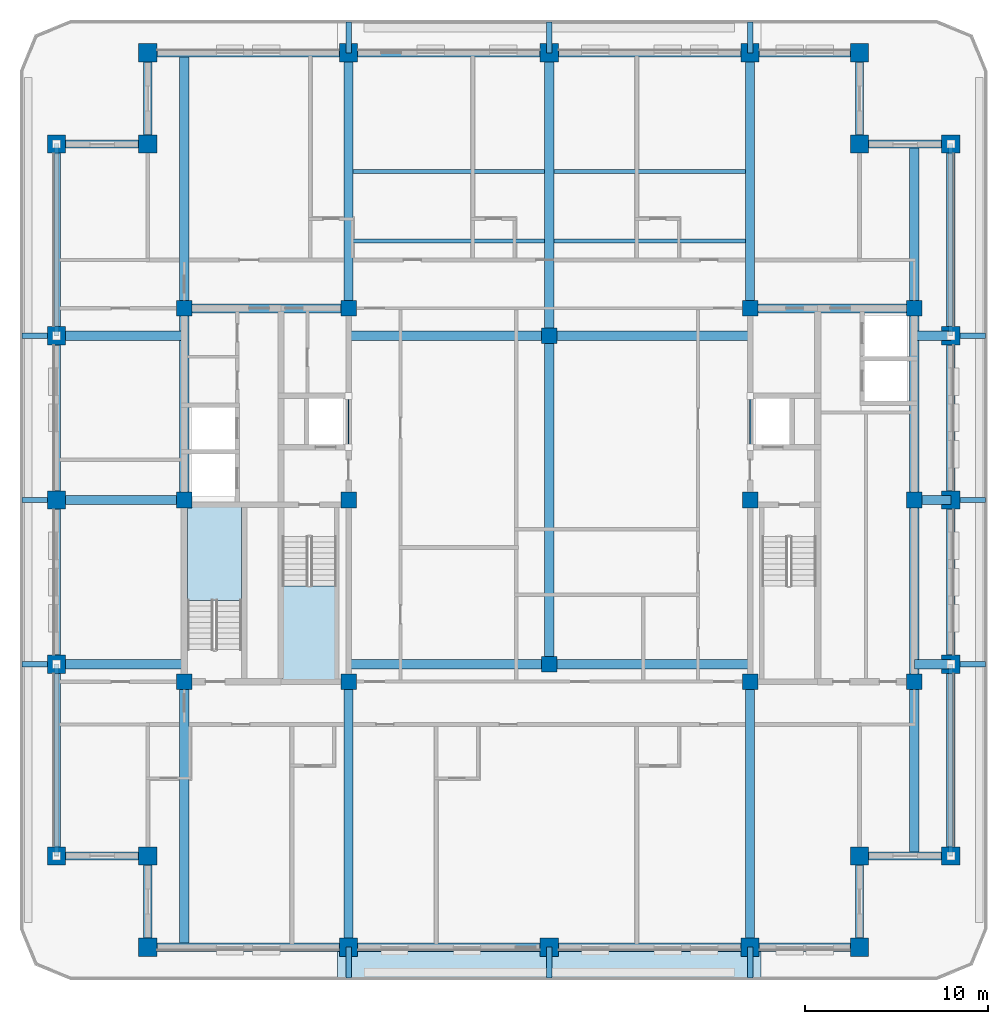
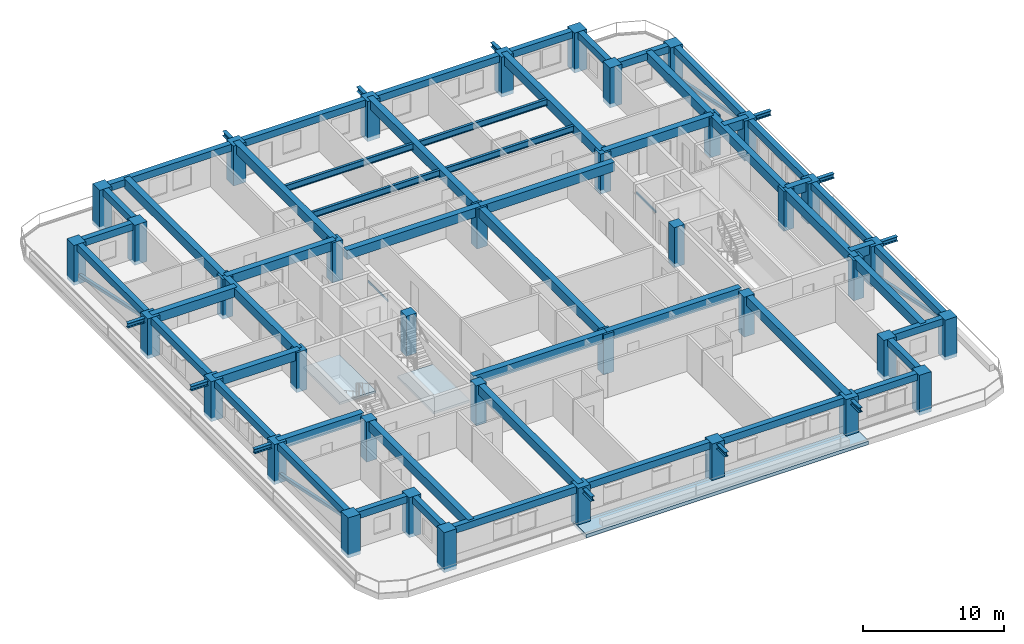
# One storey, part 1 of 14: 67 beams, 38 columns, 4 members, 3 slabs, 2 elements without a shape of their own.
"""IFC4 building model written with IfcOpenShell, lengths in metres."""

from ifc_helpers import new_model, si_unit, direction, frame, origin, origin_2d, place, context, subcontext, project, spatial, polyline, rectangle, hollow_rectangle, i_section, outline, extrude, material, layer, layer_set, material_profile, profile_set, type_object, element, aggregate, save


model = new_model("IFC4")

# Units and contexts
model_context = context("Model", 3, precision=1e-05, world=origin(), true_north=direction((0.0, 1.0)))
body_context = subcontext(model_context, "Body", "Model", "MODEL_VIEW")
ifc_project = project(units=[si_unit("LENGTHUNIT", "METRE"), si_unit("AREAUNIT", "SQUARE_METRE"), si_unit("VOLUMEUNIT", "CUBIC_METRE"), si_unit("PLANEANGLEUNIT", "RADIAN"), si_unit("MASSUNIT", "GRAM", prefix="KILO")], contexts=[model_context])

# Site, building, storey
site_placement = place(None, origin())
site = spatial("IfcSite", under=ifc_project, at=site_placement, CompositionType="ELEMENT")
building_placement = place(site_placement, origin())
building = spatial("IfcBuilding", under=site, at=building_placement, Name="Zulmaris Gate Convention Tower", CompositionType="ELEMENT")
storey_placement = place(building_placement, frame((0.0, 0.0, 211.85986328125)))
storey = spatial("IfcBuildingStorey", under=building, at=storey_placement, Name="L55", CompositionType="ELEMENT", Elevation=211.85986328125)

# Columns
ifc_material_1 = material(Name="Concrete C60/75", Category="concrete")
ifc_material_profile_1 = material_profile(ifc_material_1, rectangle(XDim=1.0, YDim=1.0, at=origin_2d()), Name="RC COL 1000x1000")
ifc_profile_set_1 = profile_set([ifc_material_profile_1], Name="Concrete C60/75")
column_type_1 = type_object("IfcColumnType", Name="COL-RC1000", PredefinedType="COLUMN", material=ifc_profile_set_1)
for number, where, z_axis, x_axis, name in (
    (1, (-22.0, -24.5, -0.324951171875), (0.0, 0.0, 1.0), (1.0, 0.0, 0.0), "L55 Column PT--22.00_-24.50"),
    (2, (-11.0, -24.5, -0.324951171875), (0.0, 0.0, 1.0), (1.0, 0.0, 0.0), "L55 Column PT--11.00_-24.50"),
    (3, (0.0, -24.5, -0.324951171875), (0.0, 0.0, 1.0), (1.0, 0.0, 0.0), "L55 Column PT-+0.00_-24.50"),
    (4, (11.0, -24.5, -0.324951171875), (0.0, 0.0, 1.0), (1.0, 0.0, 0.0), "L55 Column PT-+11.00_-24.50"),
    (5, (17.0, -24.5, -0.324951171875), (0.0, 0.0, 1.0), (1.0, 0.0, 0.0), "L55 Column PT-+17.00_-24.50"),
    (6, (-22.0, 24.5, -0.324951171875), (0.0, 0.0, 1.0), (1.0, 0.0, 0.0), "L55 Column PT--22.00_+24.50"),
    (7, (-11.0, 24.5, -0.324951171875), (0.0, 0.0, 1.0), (1.0, 0.0, 0.0), "L55 Column PT--11.00_+24.50"),
    (8, (0.0, 24.5, -0.324951171875), (0.0, 0.0, 1.0), (1.0, 0.0, 0.0), "L55 Column PT-+0.00_+24.50"),
    (9, (11.0, 24.5, -0.324951171875), (0.0, 0.0, 1.0), (1.0, 0.0, 0.0), "L55 Column PT-+11.00_+24.50"),
    (10, (17.0, 24.5, -0.324951171875), (0.0, 0.0, 1.0), (1.0, 0.0, 0.0), "L55 Column PT-+17.00_+24.50"),
    (11, (-27.0, -19.5, -0.324951171875), (0.0, 0.0, 1.0), (1.0, 0.0, 0.0), "L55 Column PT--27.00_-19.50"),
    (12, (-27.0, -9.0, -0.324951171875), (0.0, 0.0, 1.0), (1.0, 0.0, 0.0), "L55 Column PT--27.00_-9.00"),
    (13, (-27.0, 0.0, -0.324951171875), (0.0, 0.0, 1.0), (1.0, 0.0, 0.0), "L55 Column PT--27.00_+0.00"),
    (14, (-27.0, 9.0, -0.324951171875), (0.0, 0.0, 1.0), (1.0, 0.0, 0.0), "L55 Column PT--27.00_+9.00"),
    (15, (-27.0, 19.5, -0.324951171875), (0.0, 0.0, 1.0), (1.0, 0.0, 0.0), "L55 Column PT--27.00_+19.50"),
    (16, (22.0, -19.5, -0.324951171875), (0.0, 0.0, 1.0), (1.0, 0.0, 0.0), "L55 Column PT-+22.00_-19.50"),
    (17, (22.0, -9.0, -0.324951171875), (0.0, 0.0, 1.0), (1.0, 0.0, 0.0), "L55 Column PT-+22.00_-9.00"),
    (18, (22.0, 0.0, -0.324951171875), (0.0, 0.0, 1.0), (1.0, 0.0, 0.0), "L55 Column PT-+22.00_+0.00"),
    (19, (22.0, 9.0, -0.324951171875), (0.0, 0.0, 1.0), (1.0, 0.0, 0.0), "L55 Column PT-+22.00_+9.00"),
    (20, (22.0, 19.5, -0.324951171875), (0.0, 0.0, 1.0), (1.0, 0.0, 0.0), "L55 Column PT-+22.00_+19.50"),
    (21, (-22.0, -19.5, -0.324951171875), (0.0, 0.0, 1.0), (1.0, 0.0, 0.0), "L55 Column PT--22.00_-19.50"),
    (22, (17.0, -19.5, -0.324951171875), (0.0, 0.0, 1.0), (1.0, 0.0, 0.0), "L55 Column PT-+17.00_-19.50"),
    (23, (17.0, 19.5, -0.324951171875), (0.0, 0.0, 1.0), (1.0, 0.0, 0.0), "L55 Column PT-+17.00_+19.50"),
    (24, (-22.0, 19.5, -0.324951171875), (0.0, 0.0, 1.0), (1.0, 0.0, 0.0), "L55 Column PT--22.00_+19.50"),
):
    element("IfcColumn", number, at=place(storey_placement, frame(where, z_axis=z_axis, x_axis=x_axis)), inside=storey, type_object=column_type_1, Name=name, PredefinedType="COLUMN", context=body_context, shape_type="SweptSolid", body=[
        extrude(rectangle(XDim=1.0, YDim=1.0, at=origin_2d()), origin(), (0.0, 0.0, 1.0), 3.47509765625),
    ])
ifc_material_profile_2 = material_profile(ifc_material_1, rectangle(XDim=0.85009765625, YDim=0.85009765625, at=origin_2d()), Name="RC COL 850x850")
ifc_profile_set_2 = profile_set([ifc_material_profile_2], Name="Concrete C60/75")
column_type_2 = type_object("IfcColumnType", Name="COL-RC850", PredefinedType="COLUMN", material=ifc_profile_set_2)
for number, where, z_axis, x_axis, name in (
    (25, (-20.0, -9.949951171875, -0.324951171875), (0.0, 0.0, 1.0), (1.0, 0.0, 0.0), "L55 Column IN--20.00_-9.95"),
    (26, (-20.0, 10.5, -0.324951171875), (0.0, 0.0, 1.0), (1.0, 0.0, 0.0), "L55 Column IN--20.00_+10.50"),
    (27, (-11.0, -9.949951171875, -0.324951171875), (0.0, 0.0, 1.0), (1.0, 0.0, 0.0), "L55 Column IN--11.00_-9.95"),
    (28, (-11.0, 0.0, -0.324951171875), (0.0, 0.0, 1.0), (1.0, 0.0, 0.0), "L55 Column IN--11.00_+0.00"),
    (29, (-11.0, 10.5, -0.324951171875), (0.0, 0.0, 1.0), (1.0, 0.0, 0.0), "L55 Column IN--11.00_+10.50"),
    (30, (11.0, -9.949951171875, -0.324951171875), (0.0, 0.0, 1.0), (1.0, 0.0, 0.0), "L55 Column IN-+11.00_-9.95"),
    (31, (11.0, 0.0, -0.324951171875), (0.0, 0.0, 1.0), (1.0, 0.0, 0.0), "L55 Column IN-+11.00_+0.00"),
    (32, (11.0, 10.5, -0.324951171875), (0.0, 0.0, 1.0), (1.0, 0.0, 0.0), "L55 Column IN-+11.00_+10.50"),
    (33, (20.0, -9.949951171875, -0.324951171875), (0.0, 0.0, 1.0), (1.0, 0.0, 0.0), "L55 Column IN-+20.00_-9.95"),
    (34, (20.0, 10.5, -0.324951171875), (0.0, 0.0, 1.0), (1.0, 0.0, 0.0), "L55 Column IN-+20.00_+10.50"),
    (35, (0.0, -9.0, -0.324951171875), (0.0, 0.0, 1.0), (1.0, 0.0, 0.0), "L55 Column IN-+0.00_-9.00"),
    (36, (0.0, 9.0, -0.324951171875), (0.0, 0.0, 1.0), (1.0, 0.0, 0.0), "L55 Column IN-+0.00_+9.00"),
    (37, (-20.0, 0.0, -0.324951171875), (0.0, 0.0, 1.0), (1.0, 0.0, 0.0), "L55 Column IN--20.00_+0.00"),
    (38, (20.0, 0.0, -0.324951171875), (0.0, 0.0, 1.0), (1.0, 0.0, 0.0), "L55 Column IN-+20.00_+0.00"),
):
    element("IfcColumn", number, at=place(storey_placement, frame(where, z_axis=z_axis, x_axis=x_axis)), inside=storey, type_object=column_type_2, Name=name, PredefinedType="COLUMN", context=body_context, shape_type="SweptSolid", body=[
        extrude(rectangle(XDim=0.85009765625, YDim=0.85009765625, at=origin_2d()), origin(), (0.0, 0.0, 1.0), 3.47509765625),
    ])

# Beams
ifc_material_2 = material(Name="Steel S355", Category="steel")
ifc_material_profile_3 = material_profile(ifc_material_2, i_section(OverallWidth=0.300048828125, OverallDepth=0.39990234375, WebThickness=0.013427734375, FlangeThickness=0.02392578125, FilletRadius=0.027099609375, at=origin_2d()), Name="HEB 400")
ifc_profile_set_3 = profile_set([ifc_material_profile_3], Name="Steel S355")
beam_type_1 = type_object("IfcBeamType", Name="BM-HEB400", PredefinedType="BEAM", material=ifc_profile_set_3)
for number, where, z_axis, x_axis, name in (
    (39, (-11.0, -26.199951171875, 2.81005859375), (0.0, 1.0, 0.0), (-1.0, 0.0, 0.0), "L55 Beam TBRK-L55-S--11"),
    (40, (-11.0, 24.5, 2.81005859375), (0.0, 1.0, 0.0), (-1.0, 0.0, 0.0), "L55 Beam TBRK-L55-N--11"),
    (41, (0.0, -26.199951171875, 2.81005859375), (0.0, 1.0, 0.0), (-1.0, 0.0, 0.0), "L55 Beam TBRK-L55-S-+0"),
    (42, (0.0, 24.5, 2.81005859375), (0.0, 1.0, 0.0), (-1.0, 0.0, 0.0), "L55 Beam TBRK-L55-N-+0"),
    (43, (11.0, -26.199951171875, 2.81005859375), (0.0, 1.0, 0.0), (-1.0, 0.0, 0.0), "L55 Beam TBRK-L55-S-+11"),
    (44, (11.0, 24.5, 2.81005859375), (0.0, 1.0, 0.0), (-1.0, 0.0, 0.0), "L55 Beam TBRK-L55-N-+11"),
):
    element("IfcBeam", number, at=place(storey_placement, frame(where, z_axis=z_axis, x_axis=x_axis)), inside=storey, type_object=beam_type_1, Name=name, PredefinedType="BEAM", context=body_context, shape_type="SweptSolid", body=[
        extrude(i_section(OverallWidth=0.300048828125, OverallDepth=0.39990234375, WebThickness=0.013427734375, FlangeThickness=0.02392578125, FilletRadius=0.027099609375, at=origin_2d()), origin(), (0.0, 0.0, 1.0), 1.699951171875),
    ])
for number, where, z_axis, x_axis, name in (
    (45, (-28.89990234375, -9.0, 2.81005859375), (1.0, 0.0, 0.0), (0.0, 1.0, 0.0), "L55 Beam TBRK-L55-W--9"),
    (46, (22.0, -9.0, 2.81005859375), (1.0, 0.0, 0.0), (0.0, 1.0, 0.0), "L55 Beam TBRK-L55-E--9"),
    (47, (-28.89990234375, 0.0, 2.81005859375), (1.0, 0.0, 0.0), (0.0, 1.0, 0.0), "L55 Beam TBRK-L55-W-+0"),
    (48, (22.0, 0.0, 2.81005859375), (1.0, 0.0, 0.0), (0.0, 1.0, 0.0), "L55 Beam TBRK-L55-E-+0"),
    (49, (-28.89990234375, 9.0, 2.81005859375), (1.0, 0.0, 0.0), (0.0, 1.0, 0.0), "L55 Beam TBRK-L55-W-+9"),
    (50, (22.0, 9.0, 2.81005859375), (1.0, 0.0, 0.0), (0.0, 1.0, 0.0), "L55 Beam TBRK-L55-E-+9"),
):
    element("IfcBeam", number, at=place(storey_placement, frame(where, z_axis=z_axis, x_axis=x_axis)), inside=storey, type_object=beam_type_1, Name=name, PredefinedType="BEAM", context=body_context, shape_type="SweptSolid", body=[
        extrude(i_section(OverallWidth=0.300048828125, OverallDepth=0.39990234375, WebThickness=0.013427734375, FlangeThickness=0.02392578125, FilletRadius=0.027099609375, at=origin_2d()), origin(), (0.0, 0.0, 1.0), 1.89990234375),
    ])
ifc_material_3 = material(Name="Concrete C50/60", Category="concrete")
ifc_material_profile_4 = material_profile(ifc_material_3, rectangle(XDim=0.5, YDim=0.800048828125, at=origin_2d()), Name="RC BEAM 500x800")
ifc_profile_set_4 = profile_set([ifc_material_profile_4], Name="Concrete C50/60")
beam_type_2 = type_object("IfcBeamType", Name="BM-RC500x800", PredefinedType="BEAM", material=ifc_profile_set_4)
for number, where, z_axis, x_axis, name in (
    (51, (-11.0, -9.0, 2.750244140625), (1.0, 0.0, 0.0), (0.0, 1.0, 0.0), "L55 Beam BM-L55-G01"),
    (52, (0.0, -9.0, 2.750244140625), (1.0, 0.0, 0.0), (0.0, 1.0, 0.0), "L55 Beam BM-L55-G02"),
    (53, (-11.0, 9.0, 2.750244140625), (1.0, 0.0, 0.0), (0.0, 1.0, 0.0), "L55 Beam BM-L55-G03"),
    (54, (0.0, 9.0, 2.750244140625), (1.0, 0.0, 0.0), (0.0, 1.0, 0.0), "L55 Beam BM-L55-G04"),
):
    element("IfcBeam", number, at=place(storey_placement, frame(where, z_axis=z_axis, x_axis=x_axis)), inside=storey, type_object=beam_type_2, Name=name, PredefinedType="BEAM", context=body_context, shape_type="SweptSolid", body=[
        extrude(rectangle(XDim=0.5, YDim=0.800048828125, at=origin_2d()), origin(), (0.0, 0.0, 1.0), 11.0),
    ])
beam_1_placement = place(storey_placement, frame((0.0, -9.0, 2.750244140625), z_axis=(0.0, 1.0, 0.0), x_axis=(-1.0, 0.0, 0.0)))
element("IfcBeam", 55, at=beam_1_placement, inside=storey, type_object=beam_type_2, Name="L55 Beam BM-L55-G06", PredefinedType="BEAM", context=body_context, shape_type="SweptSolid", body=[
    extrude(rectangle(XDim=0.5, YDim=0.800048828125, at=origin_2d()), origin(), (0.0, 0.0, 1.0), 18.0),
])
beam_2_placement = place(storey_placement, frame((0.0, 9.0, 2.750244140625), z_axis=(0.0, 1.0, 0.0), x_axis=(-1.0, 0.0, 0.0)))
element("IfcBeam", 56, at=beam_2_placement, inside=storey, type_object=beam_type_2, Name="L55 Beam BM-L55-G07", PredefinedType="BEAM", context=body_context, shape_type="SweptSolid", body=[
    extrude(rectangle(XDim=0.5, YDim=0.800048828125, at=origin_2d()), origin(), (0.0, 0.0, 1.0), 15.5),
])
beam_3_placement = place(storey_placement, frame((-11.0, -24.5, 2.750244140625), z_axis=(0.0, 1.0, 0.0), x_axis=(-1.0, 0.0, 0.0)))
element("IfcBeam", 57, at=beam_3_placement, inside=storey, type_object=beam_type_2, Name="L55 Beam BM-L55-G08", PredefinedType="BEAM", context=body_context, shape_type="SweptSolid", body=[
    extrude(rectangle(XDim=0.5, YDim=0.800048828125, at=origin_2d()), origin(), (0.0, 0.0, 1.0), 14.550048828125),
])
beam_4_placement = place(storey_placement, frame((-11.0, 10.5, 2.750244140625), z_axis=(0.0, 1.0, 0.0), x_axis=(-1.0, 0.0, 0.0)))
element("IfcBeam", 58, at=beam_4_placement, inside=storey, type_object=beam_type_2, Name="L55 Beam BM-L55-G09", PredefinedType="BEAM", context=body_context, shape_type="SweptSolid", body=[
    extrude(rectangle(XDim=0.5, YDim=0.800048828125, at=origin_2d()), origin(), (0.0, 0.0, 1.0), 14.0),
])
beam_5_placement = place(storey_placement, frame((11.0, -24.5, 2.750244140625), z_axis=(0.0, 1.0, 0.0), x_axis=(-1.0, 0.0, 0.0)))
element("IfcBeam", 59, at=beam_5_placement, inside=storey, type_object=beam_type_2, Name="L55 Beam BM-L55-G10", PredefinedType="BEAM", context=body_context, shape_type="SweptSolid", body=[
    extrude(rectangle(XDim=0.5, YDim=0.800048828125, at=origin_2d()), origin(), (0.0, 0.0, 1.0), 14.550048828125),
])
beam_6_placement = place(storey_placement, frame((11.0, 10.5, 2.750244140625), z_axis=(0.0, 1.0, 0.0), x_axis=(-1.0, 0.0, 0.0)))
element("IfcBeam", 60, at=beam_6_placement, inside=storey, type_object=beam_type_2, Name="L55 Beam BM-L55-G11", PredefinedType="BEAM", context=body_context, shape_type="SweptSolid", body=[
    extrude(rectangle(XDim=0.5, YDim=0.800048828125, at=origin_2d()), origin(), (0.0, 0.0, 1.0), 14.0),
])
beam_7_placement = place(storey_placement, frame((-20.0, -24.5, 2.750244140625), z_axis=(0.0, 1.0, 0.0), x_axis=(-1.0, 0.0, 0.0)))
element("IfcBeam", 61, at=beam_7_placement, inside=storey, type_object=beam_type_2, Name="L55 Beam BM-L55-G12", PredefinedType="BEAM", context=body_context, shape_type="SweptSolid", body=[
    extrude(rectangle(XDim=0.5, YDim=0.800048828125, at=origin_2d()), origin(), (0.0, 0.0, 1.0), 14.550048828125),
])
beam_8_placement = place(storey_placement, frame((-20.0, 10.5, 2.750244140625), z_axis=(0.0, 1.0, 0.0), x_axis=(-1.0, 0.0, 0.0)))
element("IfcBeam", 62, at=beam_8_placement, inside=storey, type_object=beam_type_2, Name="L55 Beam BM-L55-G13", PredefinedType="BEAM", context=body_context, shape_type="SweptSolid", body=[
    extrude(rectangle(XDim=0.5, YDim=0.800048828125, at=origin_2d()), origin(), (0.0, 0.0, 1.0), 14.0),
])
beam_9_placement = place(storey_placement, frame((20.0, -19.5, 2.750244140625), z_axis=(0.0, 1.0, 0.0), x_axis=(-1.0, 0.0, 0.0)))
element("IfcBeam", 63, at=beam_9_placement, inside=storey, type_object=beam_type_2, Name="L55 Beam BM-L55-G14", PredefinedType="BEAM", context=body_context, shape_type="SweptSolid", body=[
    extrude(rectangle(XDim=0.5, YDim=0.800048828125, at=origin_2d()), origin(), (0.0, 0.0, 1.0), 9.550048828125),
])
beam_10_placement = place(storey_placement, frame((20.0, 10.5, 2.750244140625), z_axis=(0.0, 1.0, 0.0), x_axis=(-1.0, 0.0, 0.0)))
element("IfcBeam", 64, at=beam_10_placement, inside=storey, type_object=beam_type_2, Name="L55 Beam BM-L55-G15", PredefinedType="BEAM", context=body_context, shape_type="SweptSolid", body=[
    extrude(rectangle(XDim=0.5, YDim=0.800048828125, at=origin_2d()), origin(), (0.0, 0.0, 1.0), 9.0),
])
for number, where, z_axis, x_axis, name in (
    (65, (-27.0, -9.0, 2.750244140625), (1.0, 0.0, 0.0), (0.0, 1.0, 0.0), "L55 Beam BM-L55-G16"),
    (66, (-27.0, 0.0, 2.750244140625), (1.0, 0.0, 0.0), (0.0, 1.0, 0.0), "L55 Beam BM-L55-G17"),
    (67, (-27.0, 9.0, 2.750244140625), (1.0, 0.0, 0.0), (0.0, 1.0, 0.0), "L55 Beam BM-L55-G18"),
):
    element("IfcBeam", number, at=place(storey_placement, frame(where, z_axis=z_axis, x_axis=x_axis)), inside=storey, type_object=beam_type_2, Name=name, PredefinedType="BEAM", context=body_context, shape_type="SweptSolid", body=[
        extrude(rectangle(XDim=0.5, YDim=0.800048828125, at=origin_2d()), origin(), (0.0, 0.0, 1.0), 7.0),
    ])
for number, where, z_axis, x_axis, name in (
    (68, (20.0, -9.0, 2.750244140625), (1.0, 0.0, 0.0), (0.0, 1.0, 0.0), "L55 Beam BM-L55-G19"),
    (69, (20.0, 0.0, 2.750244140625), (1.0, 0.0, 0.0), (0.0, 1.0, 0.0), "L55 Beam BM-L55-G20"),
    (70, (20.0, 9.0, 2.750244140625), (1.0, 0.0, 0.0), (0.0, 1.0, 0.0), "L55 Beam BM-L55-G21"),
):
    element("IfcBeam", number, at=place(storey_placement, frame(where, z_axis=z_axis, x_axis=x_axis)), inside=storey, type_object=beam_type_2, Name=name, PredefinedType="BEAM", context=body_context, shape_type="SweptSolid", body=[
        extrude(rectangle(XDim=0.5, YDim=0.800048828125, at=origin_2d()), origin(), (0.0, 0.0, 1.0), 2.0),
    ])
for number, where, z_axis, x_axis, name in (
    (71, (-20.0, 10.5, 2.750244140625), (1.0, 0.0, 0.0), (0.0, 1.0, 0.0), "L55 Beam BM-L55-G23"),
    (72, (11.0, 10.5, 2.750244140625), (1.0, 0.0, 0.0), (0.0, 1.0, 0.0), "L55 Beam BM-L55-G25"),
):
    element("IfcBeam", number, at=place(storey_placement, frame(where, z_axis=z_axis, x_axis=x_axis)), inside=storey, type_object=beam_type_2, Name=name, PredefinedType="BEAM", context=body_context, shape_type="SweptSolid", body=[
        extrude(rectangle(XDim=0.5, YDim=0.800048828125, at=origin_2d()), origin(), (0.0, 0.0, 1.0), 9.0),
    ])
beam_11_placement = place(storey_placement, frame((-20.0, 0.0, 2.750244140625), z_axis=(0.0, 1.0, 0.0), x_axis=(-1.0, 0.0, 0.0)))
element("IfcBeam", 73, at=beam_11_placement, inside=storey, type_object=beam_type_2, Name="L55 Beam BM-L55-G27", PredefinedType="BEAM", context=body_context, shape_type="SweptSolid", body=[
    extrude(rectangle(XDim=0.5, YDim=0.800048828125, at=origin_2d()), origin(), (0.0, 0.0, 1.0), 10.5),
])
beam_12_placement = place(storey_placement, frame((20.0, -9.949951171875, 2.750244140625), z_axis=(0.0, 1.0, 0.0), x_axis=(-1.0, 0.0, 0.0)))
element("IfcBeam", 74, at=beam_12_placement, inside=storey, type_object=beam_type_2, Name="L55 Beam BM-L55-G28", PredefinedType="BEAM", context=body_context, shape_type="SweptSolid", body=[
    extrude(rectangle(XDim=0.5, YDim=0.800048828125, at=origin_2d()), origin(), (0.0, 0.0, 1.0), 9.949951171875),
])
beam_13_placement = place(storey_placement, frame((20.0, 0.0, 2.750244140625), z_axis=(0.0, 1.0, 0.0), x_axis=(-1.0, 0.0, 0.0)))
element("IfcBeam", 75, at=beam_13_placement, inside=storey, type_object=beam_type_2, Name="L55 Beam BM-L55-G29", PredefinedType="BEAM", context=body_context, shape_type="SweptSolid", body=[
    extrude(rectangle(XDim=0.5, YDim=0.800048828125, at=origin_2d()), origin(), (0.0, 0.0, 1.0), 10.5),
])
ifc_material_4 = material(Name="Precast concrete C50/60", Category="concrete")
ifc_material_profile_5 = material_profile(ifc_material_4, rectangle(XDim=0.449951171875, YDim=0.60009765625, at=origin_2d()), Name="RC SPANDREL 450x600")
ifc_profile_set_5 = profile_set([ifc_material_profile_5], Name="Precast concrete C50/60")
beam_type_3 = type_object("IfcBeamType", Name="BM-SP450x600", PredefinedType="SPANDREL", material=ifc_profile_set_5)
for number, where, z_axis, x_axis, name in (
    (76, (-22.0, -24.5, 2.85009765625), (1.0, 0.0, 0.0), (0.0, 1.0, 0.0), "L55 Spandrel SP-L55-01"),
    (77, (-11.0, -24.5, 2.85009765625), (1.0, 0.0, 0.0), (0.0, 1.0, 0.0), "L55 Spandrel SP-L55-02"),
    (78, (0.0, -24.5, 2.85009765625), (1.0, 0.0, 0.0), (0.0, 1.0, 0.0), "L55 Spandrel SP-L55-03"),
):
    element("IfcBeam", number, at=place(storey_placement, frame(where, z_axis=z_axis, x_axis=x_axis)), inside=storey, type_object=beam_type_3, Name=name, PredefinedType="SPANDREL", context=body_context, shape_type="SweptSolid", body=[
        extrude(rectangle(XDim=0.449951171875, YDim=0.60009765625, at=origin_2d()), origin(), (0.0, 0.0, 1.0), 11.0),
    ])
beam_14_placement = place(storey_placement, frame((11.0, -24.5, 2.85009765625), z_axis=(1.0, 0.0, 0.0), x_axis=(0.0, 1.0, 0.0)))
element("IfcBeam", 79, at=beam_14_placement, inside=storey, type_object=beam_type_3, Name="L55 Spandrel SP-L55-04", PredefinedType="SPANDREL", context=body_context, shape_type="SweptSolid", body=[
    extrude(rectangle(XDim=0.449951171875, YDim=0.60009765625, at=origin_2d()), origin(), (0.0, 0.0, 1.0), 6.0),
])
for number, where, z_axis, x_axis, name in (
    (80, (17.0, -24.5, 2.85009765625), (0.0, 1.0, 0.0), (-1.0, 0.0, 0.0), "L55 Spandrel SP-L55-05"),
    (81, (17.0, -19.5, 2.85009765625), (1.0, 0.0, 0.0), (0.0, 1.0, 0.0), "L55 Spandrel SP-L55-06"),
):
    element("IfcBeam", number, at=place(storey_placement, frame(where, z_axis=z_axis, x_axis=x_axis)), inside=storey, type_object=beam_type_3, Name=name, PredefinedType="SPANDREL", context=body_context, shape_type="SweptSolid", body=[
        extrude(rectangle(XDim=0.449951171875, YDim=0.60009765625, at=origin_2d()), origin(), (0.0, 0.0, 1.0), 5.0),
    ])
beam_15_placement = place(storey_placement, frame((22.0, -19.5, 2.85009765625), z_axis=(0.0, 1.0, 0.0), x_axis=(-1.0, 0.0, 0.0)))
element("IfcBeam", 82, at=beam_15_placement, inside=storey, type_object=beam_type_3, Name="L55 Spandrel SP-L55-07", PredefinedType="SPANDREL", context=body_context, shape_type="SweptSolid", body=[
    extrude(rectangle(XDim=0.449951171875, YDim=0.60009765625, at=origin_2d()), origin(), (0.0, 0.0, 1.0), 10.5),
])
for number, where, z_axis, x_axis, name in (
    (83, (22.0, -9.0, 2.85009765625), (0.0, 1.0, 0.0), (-1.0, 0.0, 0.0), "L55 Spandrel SP-L55-08"),
    (84, (22.0, 0.0, 2.85009765625), (0.0, 1.0, 0.0), (-1.0, 0.0, 0.0), "L55 Spandrel SP-L55-09"),
):
    element("IfcBeam", number, at=place(storey_placement, frame(where, z_axis=z_axis, x_axis=x_axis)), inside=storey, type_object=beam_type_3, Name=name, PredefinedType="SPANDREL", context=body_context, shape_type="SweptSolid", body=[
        extrude(rectangle(XDim=0.449951171875, YDim=0.60009765625, at=origin_2d()), origin(), (0.0, 0.0, 1.0), 9.0),
    ])
beam_16_placement = place(storey_placement, frame((22.0, 9.0, 2.85009765625), z_axis=(0.0, 1.0, 0.0), x_axis=(-1.0, 0.0, 0.0)))
element("IfcBeam", 85, at=beam_16_placement, inside=storey, type_object=beam_type_3, Name="L55 Spandrel SP-L55-10", PredefinedType="SPANDREL", context=body_context, shape_type="SweptSolid", body=[
    extrude(rectangle(XDim=0.449951171875, YDim=0.60009765625, at=origin_2d()), origin(), (0.0, 0.0, 1.0), 10.5),
])
for number, where, z_axis, x_axis, name in (
    (86, (22.0, 19.5, 2.85009765625), (-1.0, 0.0, 0.0), (0.0, -1.0, 0.0), "L55 Spandrel SP-L55-11"),
    (87, (17.0, 19.5, 2.85009765625), (0.0, 1.0, 0.0), (-1.0, 0.0, 0.0), "L55 Spandrel SP-L55-12"),
):
    element("IfcBeam", number, at=place(storey_placement, frame(where, z_axis=z_axis, x_axis=x_axis)), inside=storey, type_object=beam_type_3, Name=name, PredefinedType="SPANDREL", context=body_context, shape_type="SweptSolid", body=[
        extrude(rectangle(XDim=0.449951171875, YDim=0.60009765625, at=origin_2d()), origin(), (0.0, 0.0, 1.0), 5.0),
    ])
beam_17_placement = place(storey_placement, frame((17.0, 24.5, 2.85009765625), z_axis=(-1.0, 0.0, 0.0), x_axis=(0.0, -1.0, 0.0)))
element("IfcBeam", 88, at=beam_17_placement, inside=storey, type_object=beam_type_3, Name="L55 Spandrel SP-L55-13", PredefinedType="SPANDREL", context=body_context, shape_type="SweptSolid", body=[
    extrude(rectangle(XDim=0.449951171875, YDim=0.60009765625, at=origin_2d()), origin(), (0.0, 0.0, 1.0), 6.0),
])
for number, where, z_axis, x_axis, name in (
    (89, (11.0, 24.5, 2.85009765625), (-1.0, 0.0, 0.0), (0.0, -1.0, 0.0), "L55 Spandrel SP-L55-14"),
    (90, (0.0, 24.5, 2.85009765625), (-1.0, 0.0, 0.0), (0.0, -1.0, 0.0), "L55 Spandrel SP-L55-15"),
    (91, (-11.0, 24.5, 2.85009765625), (-1.0, 0.0, 0.0), (0.0, -1.0, 0.0), "L55 Spandrel SP-L55-16"),
):
    element("IfcBeam", number, at=place(storey_placement, frame(where, z_axis=z_axis, x_axis=x_axis)), inside=storey, type_object=beam_type_3, Name=name, PredefinedType="SPANDREL", context=body_context, shape_type="SweptSolid", body=[
        extrude(rectangle(XDim=0.449951171875, YDim=0.60009765625, at=origin_2d()), origin(), (0.0, 0.0, 1.0), 11.0),
    ])
for number, where, z_axis, x_axis, name in (
    (92, (-22.0, 24.5, 2.85009765625), (0.0, -1.0, 0.0), (1.0, 0.0, 0.0), "L55 Spandrel SP-L55-17"),
    (93, (-22.0, 19.5, 2.85009765625), (-1.0, 0.0, 0.0), (0.0, -1.0, 0.0), "L55 Spandrel SP-L55-18"),
):
    element("IfcBeam", number, at=place(storey_placement, frame(where, z_axis=z_axis, x_axis=x_axis)), inside=storey, type_object=beam_type_3, Name=name, PredefinedType="SPANDREL", context=body_context, shape_type="SweptSolid", body=[
        extrude(rectangle(XDim=0.449951171875, YDim=0.60009765625, at=origin_2d()), origin(), (0.0, 0.0, 1.0), 5.0),
    ])
beam_18_placement = place(storey_placement, frame((-27.0, 19.5, 2.85009765625), z_axis=(0.0, -1.0, 0.0), x_axis=(1.0, 0.0, 0.0)))
element("IfcBeam", 94, at=beam_18_placement, inside=storey, type_object=beam_type_3, Name="L55 Spandrel SP-L55-19", PredefinedType="SPANDREL", context=body_context, shape_type="SweptSolid", body=[
    extrude(rectangle(XDim=0.449951171875, YDim=0.60009765625, at=origin_2d()), origin(), (0.0, 0.0, 1.0), 10.5),
])
for number, where, z_axis, x_axis, name in (
    (95, (-27.0, 9.0, 2.85009765625), (0.0, -1.0, 0.0), (1.0, 0.0, 0.0), "L55 Spandrel SP-L55-20"),
    (96, (-27.0, 0.0, 2.85009765625), (0.0, -1.0, 0.0), (1.0, 0.0, 0.0), "L55 Spandrel SP-L55-21"),
):
    element("IfcBeam", number, at=place(storey_placement, frame(where, z_axis=z_axis, x_axis=x_axis)), inside=storey, type_object=beam_type_3, Name=name, PredefinedType="SPANDREL", context=body_context, shape_type="SweptSolid", body=[
        extrude(rectangle(XDim=0.449951171875, YDim=0.60009765625, at=origin_2d()), origin(), (0.0, 0.0, 1.0), 9.0),
    ])
beam_19_placement = place(storey_placement, frame((-27.0, -9.0, 2.85009765625), z_axis=(0.0, -1.0, 0.0), x_axis=(1.0, 0.0, 0.0)))
element("IfcBeam", 97, at=beam_19_placement, inside=storey, type_object=beam_type_3, Name="L55 Spandrel SP-L55-22", PredefinedType="SPANDREL", context=body_context, shape_type="SweptSolid", body=[
    extrude(rectangle(XDim=0.449951171875, YDim=0.60009765625, at=origin_2d()), origin(), (0.0, 0.0, 1.0), 10.5),
])
for number, where, z_axis, x_axis, name in (
    (98, (-27.0, -19.5, 2.85009765625), (1.0, 0.0, 0.0), (0.0, 1.0, 0.0), "L55 Spandrel SP-L55-23"),
    (99, (-22.0, -19.5, 2.85009765625), (0.0, -1.0, 0.0), (1.0, 0.0, 0.0), "L55 Spandrel SP-L55-24"),
):
    element("IfcBeam", number, at=place(storey_placement, frame(where, z_axis=z_axis, x_axis=x_axis)), inside=storey, type_object=beam_type_3, Name=name, PredefinedType="SPANDREL", context=body_context, shape_type="SweptSolid", body=[
        extrude(rectangle(XDim=0.449951171875, YDim=0.60009765625, at=origin_2d()), origin(), (0.0, 0.0, 1.0), 5.0),
    ])

# Members
ifc_material_profile_6 = material_profile(ifc_material_2, hollow_rectangle(XDim=0.25, YDim=0.25, WallThickness=0.012451171875, at=origin_2d()), Name="SHS 250x250x12.5")
ifc_profile_set_6 = profile_set([ifc_material_profile_6], Name="Steel S355")
member_type = type_object("IfcMemberType", Name="BR-SHS250", PredefinedType="BRACE", material=ifc_profile_set_6)
for number, where, z_axis, x_axis, name in (
    (100, (-27.0, -9.0, 0.300048828125), (0.0, -0.978182890872, 0.20774559443), (1.0, 0.0, 0.0), "L55 Perimeter Tube Diagonal SW-W"),
    (101, (-27.0, 19.5, 0.300048828125), (0.0, -0.978182890872, 0.20774559443), (1.0, 0.0, 0.0), "L55 Perimeter Tube Diagonal NW-W"),
    (102, (22.0, -9.0, 0.300048828125), (0.0, -0.978182890872, 0.20774559443), (1.0, 0.0, 0.0), "L55 Perimeter Tube Diagonal SE-E"),
    (103, (22.0, 19.5, 0.300048828125), (0.0, -0.978182890872, 0.20774559443), (1.0, 0.0, 0.0), "L55 Perimeter Tube Diagonal NE-E"),
):
    element("IfcMember", number, at=place(storey_placement, frame(where, z_axis=z_axis, x_axis=x_axis)), inside=storey, type_object=member_type, Name=name, PredefinedType="BRACE", context=body_context, shape_type="SweptSolid", body=[
        extrude(hollow_rectangle(XDim=0.25, YDim=0.25, WallThickness=0.012451171875, at=origin_2d()), origin(), (0.0, 0.0, 1.0), 10.734130859375),
    ])

# Beams
ifc_material_profile_7 = material_profile(ifc_material_2, i_section(OverallWidth=0.2099609375, OverallDepth=0.550048828125, WebThickness=0.010986328125, FlangeThickness=0.01708984375, FilletRadius=0.02392578125, at=origin_2d()), Name="IPE 550")
ifc_profile_set_7 = profile_set([ifc_material_profile_7], Name="Steel S355")
beam_type_4 = type_object("IfcBeamType", Name="JT-IPE550", PredefinedType="JOIST", material=ifc_profile_set_7)
for number, where, z_axis, x_axis, name in (
    (104, (-10.75, 14.199951171875, 2.873046875), (1.0, 0.0, 0.0), (0.0, 1.0, 0.0), "L55 Joist JT-L55-CW-+14.2"),
    (105, (0.25, 14.199951171875, 2.873046875), (1.0, 0.0, 0.0), (0.0, 1.0, 0.0), "L55 Joist JT-L55-CE-+14.2"),
    (106, (-10.75, 18.0, 2.873046875), (1.0, 0.0, 0.0), (0.0, 1.0, 0.0), "L55 Joist JT-L55-CW-+18.0"),
    (107, (0.25, 18.0, 2.873046875), (1.0, 0.0, 0.0), (0.0, 1.0, 0.0), "L55 Joist JT-L55-CE-+18.0"),
):
    element("IfcBeam", number, at=place(storey_placement, frame(where, z_axis=z_axis, x_axis=x_axis)), inside=storey, type_object=beam_type_4, Name=name, PredefinedType="JOIST", context=body_context, shape_type="SweptSolid", body=[
        extrude(i_section(OverallWidth=0.2099609375, OverallDepth=0.550048828125, WebThickness=0.010986328125, FlangeThickness=0.01708984375, FilletRadius=0.02392578125, at=origin_2d()), origin(), (0.0, 0.0, 1.0), 10.5),
    ])
ifc_material_profile_8 = material_profile(ifc_material_2, hollow_rectangle(XDim=0.080078125, YDim=0.179931640625, WallThickness=0.00634765625, at=origin_2d()), Name="RHS 180x80x6.3")
ifc_profile_set_8 = profile_set([ifc_material_profile_8], Name="Steel S355")
beam_type_5 = type_object("IfcBeamType", Name="LN-RHS180", PredefinedType="LINTEL", material=ifc_profile_set_8)
for number, where, z_axis, x_axis, name in (
    (108, (-11.0, 2.89990234375, 2.35009765625), (0.0, 1.0, 0.0), (-1.0, 0.0, 0.0), "L55 Core Opening Steel Lintel 1"),
    (109, (11.0, 2.89990234375, 2.35009765625), (0.0, 1.0, 0.0), (-1.0, 0.0, 0.0), "L55 Core Opening Steel Lintel 2"),
):
    element("IfcBeam", number, at=place(storey_placement, frame(where, z_axis=z_axis, x_axis=x_axis)), inside=storey, type_object=beam_type_5, Name=name, PredefinedType="LINTEL", context=body_context, shape_type="SweptSolid", body=[
        extrude(hollow_rectangle(XDim=0.080078125, YDim=0.179931640625, WallThickness=0.00634765625, at=origin_2d()), origin(), (0.0, 0.0, 1.0), 2.800048828125),
    ])

# Stair, slab
ifc_material_5 = material(Name="Concrete C45/55", Category="concrete")
stair_type = type_object("IfcStairType", Name="ST-CORE-DOGLEG", PredefinedType="HALF_TURN_STAIR", material=ifc_material_5)
stair_1_placement = place(storey_placement, origin())
stair_1 = element("IfcStair", 110, at=stair_1_placement, inside=storey, type_object=stair_type, Name="L55 Core Exit Stair ST-1", PredefinedType="HALF_TURN_STAIR")
ifc_layer_1 = layer(ifc_material_5, 0.199951171875, Name="Concrete C45/55")
ifc_layer_set_1 = layer_set([ifc_layer_1], Name="Concrete C45/55")
slab_type_1 = type_object("IfcSlabType", Name="SL-LND-200", PredefinedType="LANDING", material=ifc_layer_set_1)
slab_1_placement = place(storey_placement, frame((0.0, 0.0, 1.5)))
slab_1 = element("IfcSlab", 111, at=slab_1_placement, type_object=slab_type_1, Name="ST-1 landing 1", PredefinedType="LANDING", context=body_context, shape_type="SweptSolid", body=[
    extrude(outline(polyline([(-14.6201171875, -4.699951171875), (-14.6201171875, -9.85009765625), (-11.659912109375, -9.85009765625), (-11.659912109375, -4.699951171875), (-14.6201171875, -4.699951171875)])), origin(), (0.0, 0.0, 1.0), 0.2001953125),
])
aggregate(stair_1, [slab_1])

stair_2_placement = place(storey_placement, origin())
stair_2 = element("IfcStair", 112, at=stair_2_placement, inside=storey, type_object=stair_type, Name="L55 Core Exit Stair ST-3", PredefinedType="HALF_TURN_STAIR")
slab_2_placement = place(storey_placement, frame((0.0, 0.0, 1.5)))
slab_2 = element("IfcSlab", 113, at=slab_2_placement, type_object=slab_type_1, Name="ST-3 landing 1", PredefinedType="LANDING", context=body_context, shape_type="SweptSolid", body=[
    extrude(outline(polyline([(-16.860107421875, -5.5), (-16.860107421875, -0.35009765625), (-19.820068359375, -0.35009765625), (-19.820068359375, -5.5), (-16.860107421875, -5.5)])), origin(), (0.0, 0.0, 1.0), 0.2001953125),
])
aggregate(stair_2, [slab_2])

# Slab
ifc_layer_2 = layer(ifc_material_3, 0.300048828125, Name="Concrete C50/60")
ifc_layer_set_2 = layer_set([ifc_layer_2], Name="Concrete C50/60")
slab_type_2 = type_object("IfcSlabType", Name="SL-SG-300", PredefinedType="FLOOR", material=ifc_layer_set_2)
slab_3_placement = place(storey_placement, frame((0.0, 0.0, -0.324951171875)))
element("IfcSlab", 114, at=slab_3_placement, inside=storey, type_object=slab_type_2, Name="L55 South Sky-Garden Planter Slab", PredefinedType="FLOOR", context=body_context, shape_type="SweptSolid", body=[
    extrude(outline(polyline([(-11.597900390625, -26.300048828125), (-11.597900390625, -24.5), (11.597900390625, -24.5), (11.597900390625, -26.300048828125), (-11.597900390625, -26.300048828125)])), origin(), (0.0, 0.0, 1.0), 0.300048828125),
])

save(model, "model.ifc")
